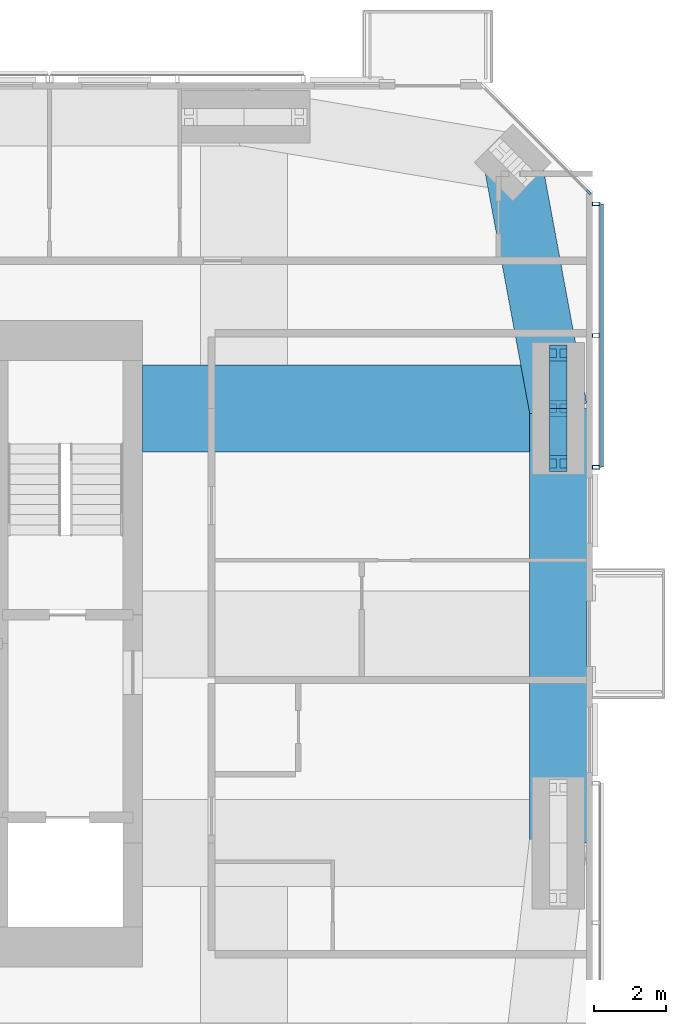
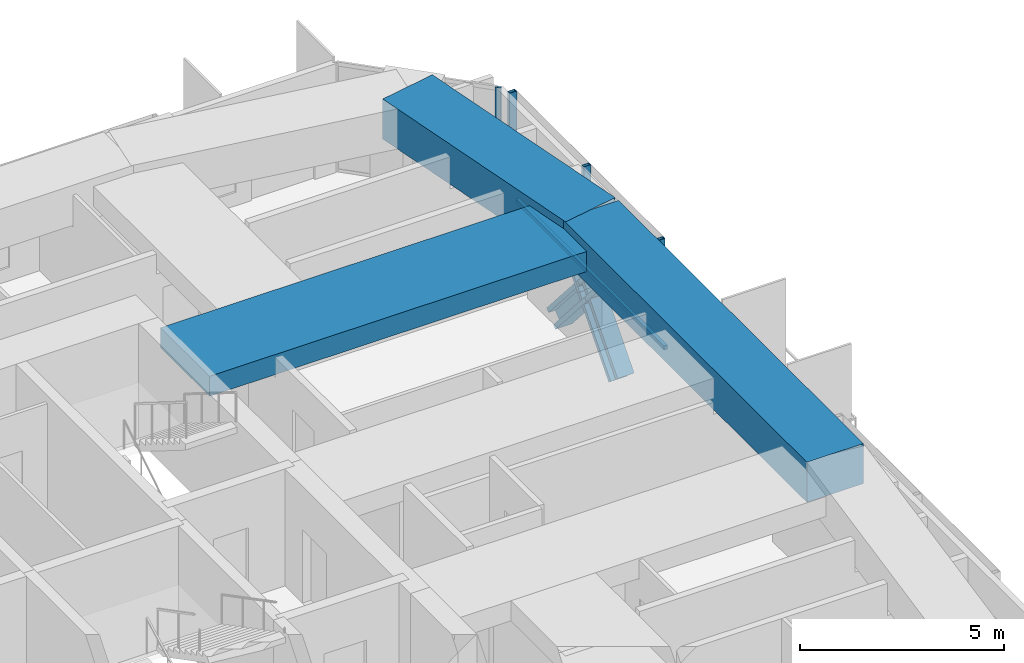
# One storey, part 8 of 18: 9 members, 3 beams, 2 elements without a shape of their own.
"""IFC4 building model written with IfcOpenShell, lengths in metres."""

from ifc_helpers import new_model, si_unit, direction, frame, origin, origin_2d, place, context, subcontext, project, spatial, rectangle, hollow_rectangle, i_section, extrude, material, material_profile, profile_set, type_object, element, aggregate, save


model = new_model("IFC4")

# Units and contexts
model_context = context("Model", 3, precision=1e-05, world=origin(), true_north=direction((0.0, 1.0)))
body_context = subcontext(model_context, "Body", "Model", "MODEL_VIEW")
ifc_project = project(units=[si_unit("LENGTHUNIT", "METRE"), si_unit("AREAUNIT", "SQUARE_METRE"), si_unit("VOLUMEUNIT", "CUBIC_METRE"), si_unit("PLANEANGLEUNIT", "RADIAN"), si_unit("MASSUNIT", "GRAM", prefix="KILO")], contexts=[model_context])

# Site, building, storey
site_placement = place(None, origin())
site = spatial("IfcSite", under=ifc_project, at=site_placement, CompositionType="ELEMENT")
building_placement = place(site_placement, origin())
building = spatial("IfcBuilding", under=site, at=building_placement, Name="Jalousie Tower", CompositionType="ELEMENT")
storey_placement = place(building_placement, frame((0.0, 0.0, 235.449951171875)))
storey = spatial("IfcBuildingStorey", under=building, at=storey_placement, Name="L64", CompositionType="ELEMENT", Elevation=235.449951171875)

# Curtain wall, member
ifc_material_1 = material(Name="Aluminium curtain wall", Category="aluminium")
curtain_wall_type_1 = type_object("IfcCurtainWallType", Name="CORNER WINDOW WALL", PredefinedType="USERDEFINED", material=ifc_material_1)
curtain_wall_1_placement = place(storey_placement, origin())
curtain_wall_1 = element("IfcCurtainWall", 1, at=curtain_wall_1_placement, inside=storey, type_object=curtain_wall_type_1, Name="Corner Window Wall L64 4", ObjectType="CORNER WINDOW WALL", PredefinedType="USERDEFINED")
ifc_material_2 = material(Name="Aluminium mullion", Category="aluminium")
ifc_material_profile_1 = material_profile(ifc_material_2, rectangle(XDim=0.06005859375, YDim=0.14990234375, at=origin_2d()), Name="MULLION 60x150")
ifc_profile_set_1 = profile_set([ifc_material_profile_1], Name="Aluminium mullion")
member_type_1 = type_object("IfcMemberType", Name="CORNER WINDOW WALL MULLION", PredefinedType="MULLION", material=ifc_profile_set_1)
member_1_placement = place(storey_placement, frame((56.391357421875, 30.969970703125, 0.0), z_axis=(0.0, 0.0, 1.0), x_axis=(-0.707106781187, -0.707106781187, 0.0)))
member_1 = element("IfcMember", 2, at=member_1_placement, type_object=member_type_1, Name="CW-C mullion 1", PredefinedType="MULLION", context=body_context, shape_type="SweptSolid", body=[
    extrude(rectangle(XDim=0.06005859375, YDim=0.14990234375, at=origin_2d()), origin(), (0.0, 0.0, 1.0), 3.260009765625),
])
aggregate(curtain_wall_1, [member_1])

# Members
ifc_material_3 = material(Name="Steel ASTM A992 Grade 50", Category="steel")
ifc_material_profile_2 = material_profile(ifc_material_3, i_section(OverallWidth=0.472412109375, OverallDepth=0.5791015625, WebThickness=0.094970703125, FlangeThickness=0.1298828125, at=origin_2d()), Name="W14X808")
ifc_profile_set_2 = profile_set([ifc_material_profile_2], Name="Steel ASTM A992 Grade 50")
member_type_2 = type_object("IfcMemberType", Name="PERIMETER BRACE W14X808", PredefinedType="BRACE", material=ifc_profile_set_2)
for number, where, z_axis, x_axis, name in (
    (3, (55.550048828125, 23.47509765625, -0.599853515625), (0.0, 0.65695436777, 0.753930340726), (-1.0, 0.0, 0.0), "Perimeter brace 07 L64 part 1"),
    (4, (55.550048828125, 25.0, 1.150146484375), (0.0, 0.65695436777, 0.753930340726), (-1.0, 0.0, 0.0), "Perimeter brace 07 L64 part 2"),
    (5, (55.550048828125, 26.52490234375, -0.599853515625), (0.0, -0.65695436777, 0.753930340726), (1.0, 0.0, 0.0), "Perimeter brace 07 L64 part 3"),
    (6, (55.550048828125, 25.0, 1.150146484375), (0.0, -0.65695436777, 0.753930340726), (1.0, 0.0, 0.0), "Perimeter brace 07 L64 part 4"),
):
    element("IfcMember", number, at=place(storey_placement, frame(where, z_axis=z_axis, x_axis=x_axis)), inside=storey, type_object=member_type_2, Name=name, PredefinedType="BRACE", context=body_context, shape_type="SweptSolid", body=[
        extrude(i_section(OverallWidth=0.472412109375, OverallDepth=0.5791015625, WebThickness=0.094970703125, FlangeThickness=0.1298828125, at=origin_2d()), origin(), (0.0, 0.0, 1.0), 2.3212890625),
    ])

# Beams
ifc_material_4 = material(Name="Concrete f'c 40 MPa", Category="concrete")
ifc_material_profile_3 = material_profile(ifc_material_4, rectangle(XDim=1.60009765625, YDim=1.199951171875, at=origin_2d()), Name="RC 1600x1200")
ifc_profile_set_3 = profile_set([ifc_material_profile_3], Name="Concrete f'c 40 MPa")
beam_type_1 = type_object("IfcBeamType", Name="RC BEAM 1600x1200", PredefinedType="BEAM", material=ifc_profile_set_3)
beam_1_placement = place(storey_placement, frame((55.550048828125, 13.0, 2.900146484375), z_axis=(0.0, 1.0, 0.0), x_axis=(-1.0, 0.0, 0.0)))
element("IfcBeam", 7, at=beam_1_placement, inside=storey, type_object=beam_type_1, Name="Edge band beam 06-07 under L65", PredefinedType="BEAM", context=body_context, shape_type="SweptSolid", body=[
    extrude(rectangle(XDim=1.60009765625, YDim=1.199951171875, at=origin_2d()), origin(), (0.0, 0.0, 1.0), 12.0),
])
beam_2_placement = place(storey_placement, frame((55.550048828125, 25.0, 2.900146484375), z_axis=(-0.181966505593, 0.983304729391, 0.0), x_axis=(-0.983304729391, -0.181966505593, 0.0)))
element("IfcBeam", 8, at=beam_2_placement, inside=storey, type_object=beam_type_1, Name="Edge band beam 07-08 under L65", PredefinedType="BEAM", context=body_context, shape_type="SweptSolid", body=[
    extrude(rectangle(XDim=1.60009765625, YDim=1.199951171875, at=origin_2d()), origin(), (0.0, 0.0, 1.0), 6.908203125),
])
ifc_material_5 = material(Name="Concrete f'c 40 MPa", Category="concrete")
ifc_material_profile_4 = material_profile(ifc_material_5, rectangle(XDim=2.39990234375, YDim=0.60009765625, at=origin_2d()), Name="RC 2400x600")
ifc_profile_set_4 = profile_set([ifc_material_profile_4], Name="Concrete f'c 40 MPa")
beam_type_2 = type_object("IfcBeamType", Name="RC BEAM 2400x600", PredefinedType="BEAM", material=ifc_profile_set_4)
beam_3_placement = place(storey_placement, frame((55.550048828125, 25.0, 2.9599609375), z_axis=(-1.0, 0.0, 0.0), x_axis=(0.0, -1.0, 0.0)))
element("IfcBeam", 9, at=beam_3_placement, inside=storey, type_object=beam_type_2, Name="Floor band beam under L65", PredefinedType="BEAM", context=body_context, shape_type="SweptSolid", body=[
    extrude(rectangle(XDim=2.39990234375, YDim=0.60009765625, at=origin_2d()), origin(), (0.0, 0.0, 1.0), 11.47509765625),
])

# Curtain wall, members
ifc_material_6 = material(Name="Perforated aluminium sheet", Category="aluminium")
curtain_wall_type_2 = type_object("IfcCurtainWallType", Name="SOLAR SCREEN SS-2", PredefinedType="USERDEFINED", material=ifc_material_6)
curtain_wall_2_placement = place(storey_placement, origin())
curtain_wall_2 = element("IfcCurtainWall", 10, at=curtain_wall_2_placement, inside=storey, type_object=curtain_wall_type_2, Name="Solar screen L64", ObjectType="SOLAR SCREEN SS-2", PredefinedType="USERDEFINED")
ifc_material_7 = material(Name="Steel ASTM A500 Grade C", Category="steel")
ifc_material_profile_5 = material_profile(ifc_material_7, hollow_rectangle(XDim=0.1015625, YDim=0.203125, WallThickness=0.0078125, at=origin_2d()), Name="HSS8X4X5/16")
ifc_profile_set_5 = profile_set([ifc_material_profile_5], Name="Steel ASTM A500 Grade C")
member_type_3 = type_object("IfcMemberType", Name="SOLAR SCREEN SS-2 MULLION", PredefinedType="MULLION", material=ifc_profile_set_5)
member_2_placement = place(storey_placement, frame((56.5966796875, 23.375, -0.119873046875), z_axis=(0.0, 0.0, 1.0), x_axis=(0.0, 1.0, 0.0)))
member_2 = element("IfcMember", 11, at=member_2_placement, type_object=member_type_3, Name="SS2 post 1", PredefinedType="MULLION", context=body_context, shape_type="SweptSolid", body=[
    extrude(hollow_rectangle(XDim=0.1015625, YDim=0.203125, WallThickness=0.0078125, at=origin_2d()), origin(), (0.0, 0.0, 1.0), 3.3798828125),
])
member_3_placement = place(storey_placement, frame((56.5966796875, 27.011962890625, -0.119873046875), z_axis=(0.0, 0.0, 1.0), x_axis=(0.0, 1.0, 0.0)))
member_3 = element("IfcMember", 12, at=member_3_placement, type_object=member_type_3, Name="SS2 post 2", PredefinedType="MULLION", context=body_context, shape_type="SweptSolid", body=[
    extrude(hollow_rectangle(XDim=0.1015625, YDim=0.203125, WallThickness=0.0078125, at=origin_2d()), origin(), (0.0, 0.0, 1.0), 3.3798828125),
])
member_4_placement = place(storey_placement, frame((56.5966796875, 30.648681640625, -0.119873046875), z_axis=(0.0, 0.0, 1.0), x_axis=(0.0, 1.0, 0.0)))
member_4 = element("IfcMember", 13, at=member_4_placement, type_object=member_type_3, Name="SS2 post 3", PredefinedType="MULLION", context=body_context, shape_type="SweptSolid", body=[
    extrude(hollow_rectangle(XDim=0.1015625, YDim=0.203125, WallThickness=0.0078125, at=origin_2d()), origin(), (0.0, 0.0, 1.0), 3.3798828125),
])
ifc_material_8 = material(Name="Extruded aluminium screen rail", Category="aluminium")
ifc_material_profile_6 = material_profile(ifc_material_8, rectangle(XDim=0.1015625, YDim=0.1201171875, at=origin_2d()), Name="RAIL 102x120")
ifc_profile_set_6 = profile_set([ifc_material_profile_6], Name="Extruded aluminium screen rail")
member_type_4 = type_object("IfcMemberType", Name="SOLAR SCREEN SS-2 TRANSOM", PredefinedType="USERDEFINED", material=ifc_profile_set_6)
member_5_placement = place(storey_placement, frame((56.7490234375, 23.375, -0.06005859375), z_axis=(0.0, 1.0, 0.0), x_axis=(-1.0, 0.0, 0.0)))
member_5 = element("IfcMember", 14, at=member_5_placement, type_object=member_type_4, Name="SS2 rail", ObjectType="TRANSOM", PredefinedType="USERDEFINED", context=body_context, shape_type="SweptSolid", body=[
    extrude(rectangle(XDim=0.1015625, YDim=0.1201171875, at=origin_2d()), origin(), (0.0, 0.0, 1.0), 7.273681640625),
])
aggregate(curtain_wall_2, [member_2, member_3, member_4, member_5])

save(model, "model.ifc")
